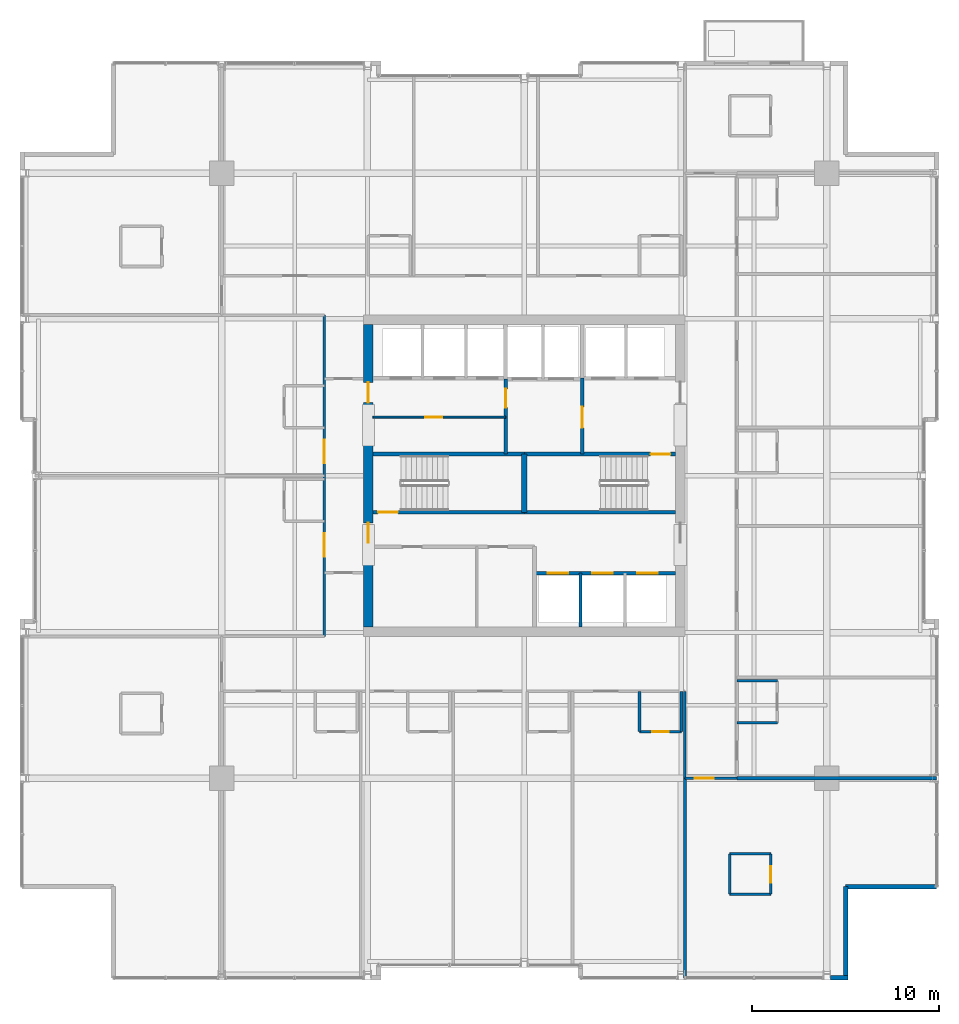
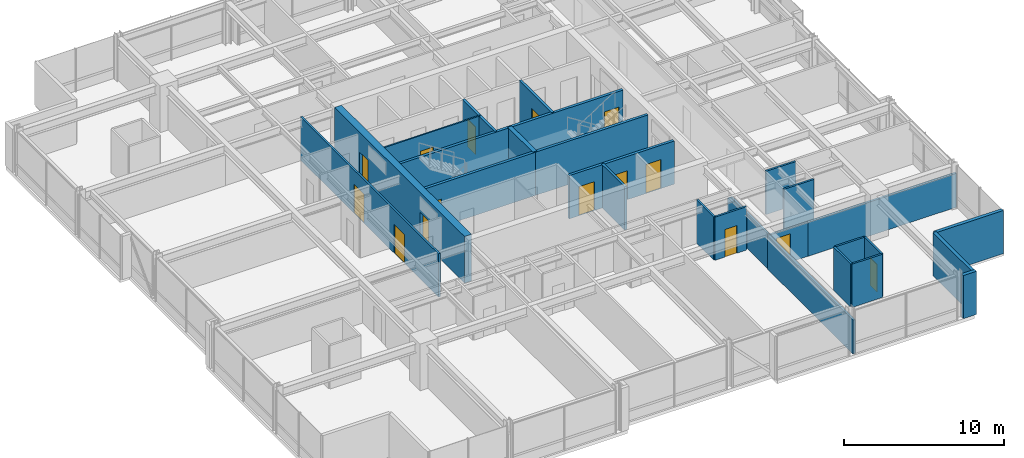
# One storey, part 28 of 34: 28 walls, 15 doors, 15 openings.
"""IFC4 building model written with IfcOpenShell, lengths in metres."""

from ifc_helpers import new_model, si_unit, direction, frame, frame_2d, origin, place, context, subcontext, project, spatial, rectangle, extrude, material, layer, layer_set, type_object, element, fill, save


model = new_model("IFC4")

# Units and contexts
model_context = context("Model", 3, precision=1e-05, world=origin(), true_north=direction((0.0, 1.0)))
body_context = subcontext(model_context, "Body", "Model", "MODEL_VIEW")
ifc_project = project(units=[si_unit("LENGTHUNIT", "METRE"), si_unit("AREAUNIT", "SQUARE_METRE"), si_unit("VOLUMEUNIT", "CUBIC_METRE"), si_unit("PLANEANGLEUNIT", "RADIAN"), si_unit("MASSUNIT", "GRAM", prefix="KILO")], contexts=[model_context])

# Site, building, storey
site_placement = place(None, origin())
site = spatial("IfcSite", under=ifc_project, at=site_placement, CompositionType="ELEMENT")
building_placement = place(site_placement, origin())
building = spatial("IfcBuilding", under=site, at=building_placement, Name="Drelvath Grand Hotel", CompositionType="ELEMENT")
storey_placement = place(building_placement, frame((0.0, 0.0, 175.25)))
storey = spatial("IfcBuildingStorey", under=building, at=storey_placement, Name="L45", CompositionType="ELEMENT", Elevation=175.25)

# Wall, opening, door
ifc_material_1 = material(Name="Gypsum Partition Board")
ifc_layer_1 = layer(ifc_material_1, 0.10009765625)
ifc_layer_set_1 = layer_set([ifc_layer_1], Name="Gypsum Partition Board")
wall_type_1 = type_object("IfcWallType", Name="Core Closet Partition 100", PredefinedType="PARTITIONING", material=ifc_layer_set_1)
wall_1_placement = place(storey_placement, frame((-8.10009765625, 30.139892578125, 0.0), z_axis=(0.0, 0.0, 1.0), x_axis=(1.0, 0.0, 0.0)))
wall_1 = element("IfcWall", 1, at=wall_1_placement, inside=storey, type_object=wall_type_1, Name="L45 High-Rise Lobby Closet Wall", PredefinedType="PARTITIONING", context=body_context, shape_type="SweptSolid", body=[
    extrude(rectangle(XDim=7.10009765625, YDim=0.10009765625, at=frame_2d((3.550048828125, 0.0))), origin(), (0.0, 0.0, 1.0), 3.2900390625),
])
opening_1_placement = place(wall_1_placement, frame((2.800048828125, 0.0, 0.0)))
opening_1 = element("IfcOpeningElement", 2, at=opening_1_placement, cuts=wall_1, Name="Opening D-T3G3-014", PredefinedType="OPENING", context=body_context, shape_type="SweptSolid", body=[
    extrude(rectangle(XDim=0.919921875, YDim=2.10009765625, at=frame_2d((0.4599609375, 1.050048828125))), frame((0.0, 0.06005859375, 0.0), z_axis=(0.0, -1.0, 0.0), x_axis=(1.0, 0.0, 0.0)), (0.0, 0.0, 1.0), 0.1201171875),
])
ifc_material_2 = material(Name="Painted Steel S275", Category="steel")
door_type_1 = type_object("IfcDoorType", Name="Staff Utility Door 920x2100", OperationType="NOTDEFINED", PredefinedType="DOOR", material=ifc_material_2)
door_1_placement = place(opening_1_placement, origin())
door_1 = element("IfcDoor", 3, at=door_1_placement, inside=storey, type_object=door_type_1, Name="L45 Core Telecom Door", OperationType="SINGLE_SWING_LEFT", OverallHeight=2.10009765625, OverallWidth=0.919921875, PredefinedType="DOOR", context=body_context, shape_type="SweptSolid", body=[
    extrude(rectangle(XDim=0.919921875, YDim=2.10009765625, at=frame_2d((0.4599609375, 1.050048828125))), frame((0.0, 0.02490234375, 0.0), z_axis=(0.0, -1.0, 0.0), x_axis=(1.0, 0.0, 0.0)), (0.0, 0.0, 1.0), 0.050048828125),
])
fill(opening_1, door_1)

# Wall, openings, doors
ifc_material_3 = material(Name="Concrete C40/50", Category="concrete")
ifc_layer_2 = layer(ifc_material_3, 0.199951171875)
ifc_layer_set_2 = layer_set([ifc_layer_2], Name="Concrete C40/50")
wall_type_2 = type_object("IfcWallType", Name="Core Hoistway Fire Wall 200", PredefinedType="SOLIDWALL", material=ifc_layer_set_2)
wall_2_placement = place(storey_placement, frame((8.10009765625, 21.780029296875, 0.0), z_axis=(0.0, 0.0, 1.0), x_axis=(-1.0, 0.0, 0.0)))
wall_2 = element("IfcWall", 4, at=wall_2_placement, inside=storey, type_object=wall_type_2, Name="L45 Bank 2 Hoistway Wall", PredefinedType="SOLIDWALL", context=body_context, shape_type="SweptSolid", body=[
    extrude(rectangle(XDim=7.550048828125, YDim=0.199951171875, at=frame_2d((3.77490234375, 0.0))), origin(), (0.0, 0.0, 1.0), 3.2900390625),
])
opening_2_placement = place(wall_2_placement, frame((5.75, 0.0, 0.0)))
opening_2 = element("IfcOpeningElement", 5, at=opening_2_placement, cuts=wall_2, Name="Opening LD-PE-4", PredefinedType="OPENING", context=body_context, shape_type="SweptSolid", body=[
    extrude(rectangle(XDim=1.10009765625, YDim=2.199951171875, at=frame_2d((0.550048828125, 1.10009765625))), frame((0.0, 0.10986328125, 0.0), z_axis=(0.0, -1.0, 0.0), x_axis=(1.0, 0.0, 0.0)), (0.0, 0.0, 1.0), 0.219970703125),
])
opening_3_placement = place(wall_2_placement, frame((3.35009765625, 0.0, 0.0)))
opening_3 = element("IfcOpeningElement", 6, at=opening_3_placement, cuts=wall_2, Name="Opening LD-PE-5", PredefinedType="OPENING", context=body_context, shape_type="SweptSolid", body=[
    extrude(rectangle(XDim=1.10009765625, YDim=2.199951171875, at=frame_2d((0.550048828125, 1.10009765625))), frame((0.0, 0.10986328125, 0.0), z_axis=(0.0, -1.0, 0.0), x_axis=(1.0, 0.0, 0.0)), (0.0, 0.0, 1.0), 0.219970703125),
])
opening_4_placement = place(wall_2_placement, frame((0.949951171875, 0.0, 0.0)))
opening_4 = element("IfcOpeningElement", 7, at=opening_4_placement, cuts=wall_2, Name="Opening LD-PE-6", PredefinedType="OPENING", context=body_context, shape_type="SweptSolid", body=[
    extrude(rectangle(XDim=1.10009765625, YDim=2.199951171875, at=frame_2d((0.550048828125, 1.10009765625))), frame((0.0, 0.10986328125, 0.0), z_axis=(0.0, -1.0, 0.0), x_axis=(1.0, 0.0, 0.0)), (0.0, 0.0, 1.0), 0.219970703125),
])
ifc_material_4 = material(Name="Stainless Steel S355", Category="steel")
door_type_2 = type_object("IfcDoorType", Name="Passenger Lift Sliding Landing Door 1100x2200", OperationType="NOTDEFINED", PredefinedType="DOOR", material=ifc_material_4)
door_2_placement = place(opening_2_placement, origin())
door_2 = element("IfcDoor", 8, at=door_2_placement, inside=storey, type_object=door_type_2, Name="L45 Lift PE-4 Landing Door", OperationType="SLIDING_TO_LEFT", OverallHeight=2.199951171875, OverallWidth=1.10009765625, PredefinedType="DOOR", context=body_context, shape_type="SweptSolid", body=[
    extrude(rectangle(XDim=1.10009765625, YDim=2.199951171875, at=frame_2d((0.550048828125, 1.10009765625))), frame((0.0, 0.02490234375, 0.0), z_axis=(0.0, -1.0, 0.0), x_axis=(1.0, 0.0, 0.0)), (0.0, 0.0, 1.0), 0.050048828125),
])
fill(opening_2, door_2)
door_3_placement = place(opening_3_placement, origin())
door_3 = element("IfcDoor", 9, at=door_3_placement, inside=storey, type_object=door_type_2, Name="L45 Lift PE-5 Landing Door", OperationType="SLIDING_TO_LEFT", OverallHeight=2.199951171875, OverallWidth=1.10009765625, PredefinedType="DOOR", context=body_context, shape_type="SweptSolid", body=[
    extrude(rectangle(XDim=1.10009765625, YDim=2.199951171875, at=frame_2d((0.550048828125, 1.10009765625))), frame((0.0, 0.02490234375, 0.0), z_axis=(0.0, -1.0, 0.0), x_axis=(1.0, 0.0, 0.0)), (0.0, 0.0, 1.0), 0.050048828125),
])
fill(opening_3, door_3)
door_4_placement = place(opening_4_placement, origin())
door_4 = element("IfcDoor", 10, at=door_4_placement, inside=storey, type_object=door_type_2, Name="L45 Lift PE-6 Landing Door", OperationType="SLIDING_TO_LEFT", OverallHeight=2.199951171875, OverallWidth=1.10009765625, PredefinedType="DOOR", context=body_context, shape_type="SweptSolid", body=[
    extrude(rectangle(XDim=1.10009765625, YDim=2.199951171875, at=frame_2d((0.550048828125, 1.10009765625))), frame((0.0, 0.02490234375, 0.0), z_axis=(0.0, -1.0, 0.0), x_axis=(1.0, 0.0, 0.0)), (0.0, 0.0, 1.0), 0.050048828125),
])
fill(opening_4, door_4)

# Wall, opening, door
ifc_layer_3 = layer(ifc_material_3, 0.199951171875)
ifc_layer_set_3 = layer_set([ifc_layer_3], Name="Concrete C40/50")
wall_type_3 = type_object("IfcWallType", Name="Core Shaft Fire Wall 200", PredefinedType="SOLIDWALL", material=ifc_layer_set_3)
wall_3_placement = place(storey_placement, frame((-8.10009765625, 25.0400390625, 0.0), z_axis=(0.0, 0.0, 1.0), x_axis=(1.0, 0.0, 0.0)))
wall_3 = element("IfcWall", 11, at=wall_3_placement, inside=storey, type_object=wall_type_3, Name="L45 Stair ST-1 South Wall", PredefinedType="SOLIDWALL", context=body_context, shape_type="SweptSolid", body=[
    extrude(rectangle(XDim=8.10009765625, YDim=0.199951171875, at=frame_2d((4.050048828125, 0.0))), origin(), (0.0, 0.0, 1.0), 3.2900390625),
])
opening_5_placement = place(wall_3_placement, frame((0.280029296875, 0.0, 0.0)))
opening_5 = element("IfcOpeningElement", 12, at=opening_5_placement, cuts=wall_3, Name="Opening D-T3G3-001", PredefinedType="OPENING", context=body_context, shape_type="SweptSolid", body=[
    extrude(rectangle(XDim=1.050048828125, YDim=2.10009765625, at=frame_2d((0.52490234375, 1.050048828125))), frame((0.0, 0.10986328125, 0.0), z_axis=(0.0, -1.0, 0.0), x_axis=(1.0, 0.0, 0.0)), (0.0, 0.0, 1.0), 0.219970703125),
])
door_type_3 = type_object("IfcDoorType", Name="Tower Stairwell Fire Door 1050x2100", OperationType="NOTDEFINED", PredefinedType="DOOR", material=ifc_material_2)
door_5_placement = place(opening_5_placement, origin())
door_5 = element("IfcDoor", 13, at=door_5_placement, inside=storey, type_object=door_type_3, Name="L45 Exit Stair ST-1 Door", OperationType="SINGLE_SWING_LEFT", OverallHeight=2.10009765625, OverallWidth=1.050048828125, PredefinedType="DOOR", context=body_context, shape_type="SweptSolid", body=[
    extrude(rectangle(XDim=1.050048828125, YDim=2.10009765625, at=frame_2d((0.52490234375, 1.050048828125))), frame((0.0, 0.02490234375, 0.0), z_axis=(0.0, -1.0, 0.0), x_axis=(1.0, 0.0, 0.0)), (0.0, 0.0, 1.0), 0.050048828125),
])
fill(opening_5, door_5)

# Walls
for number, where, z_axis, x_axis, name in (
    (14, (-8.10009765625, 28.159912109375, 0.0), (0.0, 0.0, 1.0), (1.0, 0.0, 0.0), "L45 Stair ST-1 North Wall"),
    (15, (0.0, 25.0400390625, 0.0), (0.0, 0.0, 1.0), (1.0, 0.0, 0.0), "L45 Stair ST-2 South Wall"),
):
    element("IfcWall", number, at=place(storey_placement, frame(where, z_axis=z_axis, x_axis=x_axis)), inside=storey, type_object=wall_type_3, Name=name, PredefinedType="SOLIDWALL", context=body_context, shape_type="SweptSolid", body=[
        extrude(rectangle(XDim=8.10009765625, YDim=0.199951171875, at=frame_2d((4.050048828125, 0.0))), origin(), (0.0, 0.0, 1.0), 3.2900390625),
    ])

# Wall, opening, door
wall_4_placement = place(storey_placement, frame((8.10009765625, 28.159912109375, 0.0), z_axis=(0.0, 0.0, 1.0), x_axis=(-1.0, 0.0, 0.0)))
wall_4 = element("IfcWall", 16, at=wall_4_placement, inside=storey, type_object=wall_type_3, Name="L45 Stair ST-2 North Wall", PredefinedType="SOLIDWALL", context=body_context, shape_type="SweptSolid", body=[
    extrude(rectangle(XDim=8.10009765625, YDim=0.199951171875, at=frame_2d((4.050048828125, 0.0))), origin(), (0.0, 0.0, 1.0), 3.2900390625),
])
opening_6_placement = place(wall_4_placement, frame((0.280029296875, 0.0, 0.0)))
opening_6 = element("IfcOpeningElement", 17, at=opening_6_placement, cuts=wall_4, Name="Opening D-T3G3-002", PredefinedType="OPENING", context=body_context, shape_type="SweptSolid", body=[
    extrude(rectangle(XDim=1.050048828125, YDim=2.10009765625, at=frame_2d((0.52490234375, 1.050048828125))), frame((0.0, 0.10986328125, 0.0), z_axis=(0.0, -1.0, 0.0), x_axis=(1.0, 0.0, 0.0)), (0.0, 0.0, 1.0), 0.219970703125),
])
door_6_placement = place(opening_6_placement, origin())
door_6 = element("IfcDoor", 18, at=door_6_placement, inside=storey, type_object=door_type_3, Name="L45 Exit Stair ST-2 Door", OperationType="SINGLE_SWING_LEFT", OverallHeight=2.10009765625, OverallWidth=1.050048828125, PredefinedType="DOOR", context=body_context, shape_type="SweptSolid", body=[
    extrude(rectangle(XDim=1.050048828125, YDim=2.10009765625, at=frame_2d((0.52490234375, 1.050048828125))), frame((0.0, 0.02490234375, 0.0), z_axis=(0.0, -1.0, 0.0), x_axis=(1.0, 0.0, 0.0)), (0.0, 0.0, 1.0), 0.050048828125),
])
fill(opening_6, door_6)

# Walls
ifc_layer_4 = layer(ifc_material_3, 0.300048828125)
ifc_layer_set_4 = layer_set([ifc_layer_4], Name="Concrete C40/50")
wall_type_4 = type_object("IfcWallType", Name="Core Shaft Fire Wall 300", PredefinedType="SOLIDWALL", material=ifc_layer_set_4)
wall_5_placement = place(storey_placement, frame((0.0, 25.0400390625, 0.0), z_axis=(0.0, 0.0, 1.0), x_axis=(0.0, 1.0, 0.0)))
element("IfcWall", 19, at=wall_5_placement, inside=storey, type_object=wall_type_4, Name="L45 Core Stair Divider Wall", PredefinedType="SOLIDWALL", context=body_context, shape_type="SweptSolid", body=[
    extrude(rectangle(XDim=3.119873046875, YDim=0.300048828125, at=frame_2d((1.56005859375, 0.0))), origin(), (0.0, 0.0, 1.0), 3.2900390625),
])
ifc_material_5 = material(Name="Gypsum Fireboard Partition")
ifc_layer_5 = layer(ifc_material_5, 0.1650390625)
ifc_layer_set_5 = layer_set([ifc_layer_5], Name="Gypsum Fireboard Partition")
wall_type_5 = type_object("IfcWallType", Name="Core Shaft Partition 165", PredefinedType="PARTITIONING", material=ifc_layer_set_5)
wall_6_placement = place(storey_placement, frame((3.0, 18.89990234375, 0.0), z_axis=(0.0, 0.0, 1.0), x_axis=(0.0, 1.0, 0.0)))
element("IfcWall", 20, at=wall_6_placement, inside=storey, type_object=wall_type_5, Name="L45 Lift PE-4/5 Divider", PredefinedType="PARTITIONING", context=body_context, shape_type="SweptSolid", body=[
    extrude(rectangle(XDim=2.880126953125, YDim=0.1650390625, at=frame_2d((1.43994140625, 0.0))), origin(), (0.0, 0.0, 1.0), 3.2900390625),
])
ifc_layer_6 = layer(ifc_material_5, 0.135009765625)
ifc_layer_set_6 = layer_set([ifc_layer_6], Name="Gypsum Fireboard Partition")
wall_type_6 = type_object("IfcWallType", Name="Corridor Fire Barrier Wall 135", PredefinedType="PARTITIONING", material=ifc_layer_set_6)
wall_7_placement = place(storey_placement, frame((8.60009765625, 10.800048828125, 0.0), z_axis=(0.0, 0.0, 1.0), x_axis=(0.0, 1.0, 0.0)))
element("IfcWall", 21, at=wall_7_placement, inside=storey, type_object=wall_type_6, Name="L45 East Spine South Inner Wall", PredefinedType="PARTITIONING", context=body_context, shape_type="SweptSolid", body=[
    extrude(rectangle(XDim=4.64990234375, YDim=0.135009765625, at=frame_2d((2.324951171875, 0.0))), origin(), (0.0, 0.0, 1.0), 2.66748046875),
])

# Wall, openings, doors
wall_8_placement = place(storey_placement, frame((-10.699951171875, 18.39990234375, 0.0), z_axis=(0.0, 0.0, 1.0), x_axis=(0.0, 1.0, 0.0)))
wall_8 = element("IfcWall", 22, at=wall_8_placement, inside=storey, type_object=wall_type_6, Name="L45 West Spine Wall", PredefinedType="PARTITIONING", context=body_context, shape_type="SweptSolid", body=[
    extrude(rectangle(XDim=17.2001953125, YDim=0.135009765625, at=frame_2d((8.60009765625, 0.0))), origin(), (0.0, 0.0, 1.0), 3.2900390625),
])
opening_7_placement = place(wall_8_placement, frame((4.2548828125, 0.0, 0.0)))
opening_7 = element("IfcOpeningElement", 23, at=opening_7_placement, cuts=wall_8, Name="Opening D-T3G3-054", PredefinedType="OPENING", context=body_context, shape_type="SweptSolid", body=[
    extrude(rectangle(XDim=1.260009765625, YDim=2.199951171875, at=frame_2d((0.6298828125, 1.10009765625))), frame((0.0, 0.077392578125, 0.0), z_axis=(0.0, -1.0, 0.0), x_axis=(1.0, 0.0, 0.0)), (0.0, 0.0, 1.0), 0.155029296875),
])
opening_8_placement = place(wall_8_placement, frame((9.2548828125, 0.0, 0.0)))
opening_8 = element("IfcOpeningElement", 24, at=opening_8_placement, cuts=wall_8, Name="Opening D-T3G3-056", PredefinedType="OPENING", context=body_context, shape_type="SweptSolid", body=[
    extrude(rectangle(XDim=1.260009765625, YDim=2.199951171875, at=frame_2d((0.6298828125, 1.10009765625))), frame((0.0, 0.077392578125, 0.0), z_axis=(0.0, -1.0, 0.0), x_axis=(1.0, 0.0, 0.0)), (0.0, 0.0, 1.0), 0.155029296875),
])
ifc_material_6 = material(Name="Hardwood Walnut Timber", Category="wood")
door_type_4 = type_object("IfcDoorType", Name="Suite Entrance Fire Door 1260x2200", OperationType="NOTDEFINED", PredefinedType="DOOR", material=ifc_material_6)
door_7_placement = place(opening_7_placement, origin())
door_7 = element("IfcDoor", 25, at=door_7_placement, inside=storey, type_object=door_type_4, Name="L45 Executive Suite Entry Door", OperationType="SINGLE_SWING_RIGHT", OverallHeight=2.199951171875, OverallWidth=1.260009765625, PredefinedType="DOOR", context=body_context, shape_type="SweptSolid", body=[
    extrude(rectangle(XDim=1.260009765625, YDim=2.199951171875, at=frame_2d((0.6298828125, 1.10009765625))), frame((0.0, 0.02490234375, 0.0), z_axis=(0.0, -1.0, 0.0), x_axis=(1.0, 0.0, 0.0)), (0.0, 0.0, 1.0), 0.050048828125),
])
fill(opening_7, door_7)
door_8_placement = place(opening_8_placement, origin())
door_8 = element("IfcDoor", 26, at=door_8_placement, inside=storey, type_object=door_type_4, Name="L45 Executive Suite Entry Door", OperationType="SINGLE_SWING_RIGHT", OverallHeight=2.199951171875, OverallWidth=1.260009765625, PredefinedType="DOOR", context=body_context, shape_type="SweptSolid", body=[
    extrude(rectangle(XDim=1.260009765625, YDim=2.199951171875, at=frame_2d((0.6298828125, 1.10009765625))), frame((0.0, 0.02490234375, 0.0), z_axis=(0.0, -1.0, 0.0), x_axis=(1.0, 0.0, 0.0)), (0.0, 0.0, 1.0), 0.050048828125),
])
fill(opening_8, door_8)

# Wall, opening, door
wall_9_placement = place(storey_placement, frame((8.60009765625, 10.800048828125, 0.0), z_axis=(0.0, 0.0, 1.0), x_axis=(1.0, 0.0, 0.0)))
wall_9 = element("IfcWall", 27, at=wall_9_placement, inside=storey, type_object=wall_type_6, Name="L45 East Spine South End", PredefinedType="PARTITIONING", context=body_context, shape_type="SweptSolid", body=[
    extrude(rectangle(XDim=2.7998046875, YDim=0.135009765625, at=frame_2d((1.39990234375, 0.0))), origin(), (0.0, 0.0, 1.0), 2.57958984375),
])
opening_9_placement = place(wall_9_placement, frame((0.52001953125, 0.0, 0.0)))
opening_9 = element("IfcOpeningElement", 28, at=opening_9_placement, cuts=wall_9, Name="Opening D-T3G3-029", PredefinedType="OPENING", context=body_context, shape_type="SweptSolid", body=[
    extrude(rectangle(XDim=1.02001953125, YDim=2.14990234375, at=frame_2d((0.510009765625, 1.074951171875))), frame((0.0, 0.077392578125, 0.0), z_axis=(0.0, -1.0, 0.0), x_axis=(1.0, 0.0, 0.0)), (0.0, 0.0, 1.0), 0.155029296875),
])
door_type_5 = type_object("IfcDoorType", Name="Amenity Meeting Fire Door 1020x2150", OperationType="NOTDEFINED", PredefinedType="DOOR", material=ifc_material_6)
door_9_placement = place(opening_9_placement, origin())
door_9 = element("IfcDoor", 29, at=door_9_placement, inside=storey, type_object=door_type_5, Name="L45 Executive Suite Entry Door", OperationType="SINGLE_SWING_LEFT", OverallHeight=2.14990234375, OverallWidth=1.02001953125, PredefinedType="DOOR", context=body_context, shape_type="SweptSolid", body=[
    extrude(rectangle(XDim=1.02001953125, YDim=2.14990234375, at=frame_2d((0.510009765625, 1.074951171875))), frame((0.0, 0.02490234375, 0.0), z_axis=(0.0, -1.0, 0.0), x_axis=(1.0, 0.0, 0.0)), (0.0, 0.0, 1.0), 0.050048828125),
])
fill(opening_9, door_9)

# Walls
ifc_material_7 = material(Name="Moisture-Resistant Gypsum Board")
ifc_layer_7 = layer(ifc_material_7, 0.139892578125)
ifc_layer_set_7 = layer_set([ifc_layer_7], Name="Moisture-Resistant Gypsum Board")
wall_type_7 = type_object("IfcWallType", Name="En-Suite Plumbing Wall 140", PredefinedType="PLUMBINGWALL", material=ifc_layer_set_7)
for number, where, z_axis, x_axis, name in (
    (30, (11.0, 4.60009765625, 0.0), (0.0, 0.0, 1.0), (1.0, 0.0, 0.0), "L45 Corner En-Suite South"),
    (31, (11.0, 6.75, 0.0), (0.0, 0.0, 1.0), (1.0, 0.0, 0.0), "L45 Corner En-Suite North"),
):
    element("IfcWall", number, at=place(storey_placement, frame(where, z_axis=z_axis, x_axis=x_axis)), inside=storey, type_object=wall_type_7, Name=name, PredefinedType="PLUMBINGWALL", context=body_context, shape_type="SweptSolid", body=[
        extrude(rectangle(XDim=2.199951171875, YDim=0.139892578125, at=frame_2d((1.10009765625, 0.0))), origin(), (0.0, 0.0, 1.0), 3.2900390625),
    ])
wall_10_placement = place(storey_placement, frame((11.0, 4.60009765625, 0.0), z_axis=(0.0, 0.0, 1.0), x_axis=(0.0, 1.0, 0.0)))
element("IfcWall", 32, at=wall_10_placement, inside=storey, type_object=wall_type_7, Name="L45 Corner En-Suite West", PredefinedType="PLUMBINGWALL", context=body_context, shape_type="SweptSolid", body=[
    extrude(rectangle(XDim=2.14990234375, YDim=0.139892578125, at=frame_2d((1.074951171875, 0.0))), origin(), (0.0, 0.0, 1.0), 3.2900390625),
])

# Wall, opening, door
wall_11_placement = place(storey_placement, frame((13.199951171875, 4.60009765625, 0.0), z_axis=(0.0, 0.0, 1.0), x_axis=(0.0, 1.0, 0.0)))
wall_11 = element("IfcWall", 33, at=wall_11_placement, inside=storey, type_object=wall_type_7, Name="L45 Corner En-Suite East", PredefinedType="PLUMBINGWALL", context=body_context, shape_type="SweptSolid", body=[
    extrude(rectangle(XDim=2.14990234375, YDim=0.139892578125, at=frame_2d((1.074951171875, 0.0))), origin(), (0.0, 0.0, 1.0), 3.2900390625),
])
opening_10_placement = place(wall_11_placement, frame((0.6201171875, 0.0, 0.0)))
opening_10 = element("IfcOpeningElement", 34, at=opening_10_placement, cuts=wall_11, Name="Opening D-T3G3-028", PredefinedType="OPENING", context=body_context, shape_type="SweptSolid", body=[
    extrude(rectangle(XDim=0.8798828125, YDim=2.10009765625, at=frame_2d((0.43994140625, 1.050048828125))), frame((0.0, 0.079833984375, 0.0), z_axis=(0.0, -1.0, 0.0), x_axis=(1.0, 0.0, 0.0)), (0.0, 0.0, 1.0), 0.159912109375),
])
door_type_6 = type_object("IfcDoorType", Name="En-Suite Bathroom Door 880x2100", OperationType="NOTDEFINED", PredefinedType="DOOR", material=ifc_material_6)
door_10_placement = place(opening_10_placement, origin())
door_10 = element("IfcDoor", 35, at=door_10_placement, inside=storey, type_object=door_type_6, Name="L45 Corner En-Suite Door", OperationType="SINGLE_SWING_RIGHT", OverallHeight=2.10009765625, OverallWidth=0.8798828125, PredefinedType="DOOR", context=body_context, shape_type="SweptSolid", body=[
    extrude(rectangle(XDim=0.8798828125, YDim=2.10009765625, at=frame_2d((0.43994140625, 1.050048828125))), frame((0.0, 0.02490234375, 0.0), z_axis=(0.0, -1.0, 0.0), x_axis=(1.0, 0.0, 0.0)), (0.0, 0.0, 1.0), 0.050048828125),
])
fill(opening_10, door_10)

# Walls
wall_12_placement = place(storey_placement, frame((6.169921875, 15.449951171875, 0.0), z_axis=(0.0, 0.0, 1.0), x_axis=(0.0, -1.0, 0.0)))
element("IfcWall", 36, at=wall_12_placement, inside=storey, type_object=wall_type_7, Name="L45 En-Suite Left Wall", PredefinedType="PLUMBINGWALL", context=body_context, shape_type="SweptSolid", body=[
    extrude(rectangle(XDim=2.14990234375, YDim=0.139892578125, at=frame_2d((1.074951171875, 0.0))), origin(), (0.0, 0.0, 1.0), 3.2900390625),
])
wall_13_placement = place(storey_placement, frame((8.419921875, 15.449951171875, 0.0), z_axis=(0.0, 0.0, 1.0), x_axis=(0.0, -1.0, 0.0)))
element("IfcWall", 37, at=wall_13_placement, inside=storey, type_object=wall_type_7, Name="L45 En-Suite Right Wall", PredefinedType="PLUMBINGWALL", context=body_context, shape_type="SweptSolid", body=[
    extrude(rectangle(XDim=2.14990234375, YDim=0.139892578125, at=frame_2d((1.074951171875, 0.0))), origin(), (0.0, 0.0, 1.0), 2.66748046875),
])

# Wall, opening, door
wall_14_placement = place(storey_placement, frame((6.169921875, 13.300048828125, 0.0), z_axis=(0.0, 0.0, 1.0), x_axis=(1.0, 0.0, 0.0)))
wall_14 = element("IfcWall", 38, at=wall_14_placement, inside=storey, type_object=wall_type_7, Name="L45 En-Suite Front Wall", PredefinedType="PLUMBINGWALL", context=body_context, shape_type="SweptSolid", body=[
    extrude(rectangle(XDim=2.25, YDim=0.139892578125, at=frame_2d((1.125, 0.0))), origin(), (0.0, 0.0, 1.0), 3.2900390625),
])
opening_11_placement = place(wall_14_placement, frame((0.68505859375, 0.0, 0.0)))
opening_11 = element("IfcOpeningElement", 39, at=opening_11_placement, cuts=wall_14, Name="Opening D-T3G3-038", PredefinedType="OPENING", context=body_context, shape_type="SweptSolid", body=[
    extrude(rectangle(XDim=0.8798828125, YDim=2.10009765625, at=frame_2d((0.43994140625, 1.050048828125))), frame((0.0, 0.079833984375, 0.0), z_axis=(0.0, -1.0, 0.0), x_axis=(1.0, 0.0, 0.0)), (0.0, 0.0, 1.0), 0.159912109375),
])
door_11_placement = place(opening_11_placement, origin())
door_11 = element("IfcDoor", 40, at=door_11_placement, inside=storey, type_object=door_type_6, Name="L45 En-Suite Bathroom Door", OperationType="SINGLE_SWING_RIGHT", OverallHeight=2.10009765625, OverallWidth=0.8798828125, PredefinedType="DOOR", context=body_context, shape_type="SweptSolid", body=[
    extrude(rectangle(XDim=0.8798828125, YDim=2.10009765625, at=frame_2d((0.43994140625, 1.050048828125))), frame((0.0, 0.02490234375, 0.0), z_axis=(0.0, -1.0, 0.0), x_axis=(1.0, 0.0, 0.0)), (0.0, 0.0, 1.0), 0.050048828125),
])
fill(opening_11, door_11)

# Walls
for number, where, z_axis, x_axis, name in (
    (41, (11.39990234375, 13.77001953125, 0.0), (0.0, 0.0, 1.0), (1.0, 0.0, 0.0), "L45 En-Suite Left Wall"),
    (42, (11.39990234375, 16.02001953125, 0.0), (0.0, 0.0, 1.0), (1.0, 0.0, 0.0), "L45 En-Suite Right Wall"),
):
    element("IfcWall", number, at=place(storey_placement, frame(where, z_axis=z_axis, x_axis=x_axis)), inside=storey, type_object=wall_type_7, Name=name, PredefinedType="PLUMBINGWALL", context=body_context, shape_type="SweptSolid", body=[
        extrude(rectangle(XDim=2.150146484375, YDim=0.139892578125, at=frame_2d((1.0751953125, 0.0))), origin(), (0.0, 0.0, 1.0), 3.2900390625),
    ])

# Wall, opening, door
ifc_layer_8 = layer(ifc_material_5, 0.179931640625)
ifc_layer_set_8 = layer_set([ifc_layer_8], Name="Gypsum Fireboard Partition")
wall_type_8 = type_object("IfcWallType", Name="FSAE Smoke Lobby Fire Wall 180", PredefinedType="SOLIDWALL", material=ifc_layer_set_8)
wall_15_placement = place(storey_placement, frame((3.10009765625, 28.159912109375, 0.0), z_axis=(0.0, 0.0, 1.0), x_axis=(0.0, 1.0, 0.0)))
wall_15 = element("IfcWall", 43, at=wall_15_placement, inside=storey, type_object=wall_type_8, Name="L45 FSAE Smoke Lobby West Wall", PredefinedType="SOLIDWALL", context=body_context, shape_type="SweptSolid", body=[
    extrude(rectangle(XDim=4.06005859375, YDim=0.179931640625, at=frame_2d((2.030029296875, 0.0))), origin(), (0.0, 0.0, 1.0), 3.2900390625),
])
opening_12_placement = place(wall_15_placement, frame((1.39990234375, 0.0, 0.0)))
opening_12 = element("IfcOpeningElement", 44, at=opening_12_placement, cuts=wall_15, Name="Opening D-T3G3-005", PredefinedType="OPENING", context=body_context, shape_type="SweptSolid", body=[
    extrude(rectangle(XDim=1.1201171875, YDim=2.10009765625, at=frame_2d((0.56005859375, 1.050048828125))), frame((0.0, 0.099853515625, 0.0), z_axis=(0.0, -1.0, 0.0), x_axis=(1.0, 0.0, 0.0)), (0.0, 0.0, 1.0), 0.199951171875),
])
door_type_7 = type_object("IfcDoorType", Name="FSAE Smoke Lobby Fire Door 1120x2100", OperationType="NOTDEFINED", PredefinedType="DOOR", material=ifc_material_2)
door_12_placement = place(opening_12_placement, origin())
door_12 = element("IfcDoor", 45, at=door_12_placement, inside=storey, type_object=door_type_7, Name="L45 FSAE Lobby Service Vestibule Door", OperationType="SINGLE_SWING_RIGHT", OverallHeight=2.10009765625, OverallWidth=1.1201171875, PredefinedType="DOOR", context=body_context, shape_type="SweptSolid", body=[
    extrude(rectangle(XDim=1.1201171875, YDim=2.10009765625, at=frame_2d((0.56005859375, 1.050048828125))), frame((0.0, 0.02490234375, 0.0), z_axis=(0.0, -1.0, 0.0), x_axis=(1.0, 0.0, 0.0)), (0.0, 0.0, 1.0), 0.050048828125),
])
fill(opening_12, door_12)

wall_16_placement = place(storey_placement, frame((-1.0, 28.159912109375, 0.0), z_axis=(0.0, 0.0, 1.0), x_axis=(0.0, 1.0, 0.0)))
wall_16 = element("IfcWall", 46, at=wall_16_placement, inside=storey, type_object=wall_type_8, Name="L45 Service Vestibule West Wall", PredefinedType="SOLIDWALL", context=body_context, shape_type="SweptSolid", body=[
    extrude(rectangle(XDim=4.02001953125, YDim=0.179931640625, at=frame_2d((2.010009765625, 0.0))), origin(), (0.0, 0.0, 1.0), 3.2900390625),
])
opening_13_placement = place(wall_16_placement, frame((2.489990234375, 0.0, 0.0)))
opening_13 = element("IfcOpeningElement", 47, at=opening_13_placement, cuts=wall_16, Name="Opening D-T3G3-009", PredefinedType="OPENING", context=body_context, shape_type="SweptSolid", body=[
    extrude(rectangle(XDim=1.0, YDim=2.10009765625, at=frame_2d((0.5, 1.050048828125))), frame((0.0, 0.099853515625, 0.0), z_axis=(0.0, -1.0, 0.0), x_axis=(1.0, 0.0, 0.0)), (0.0, 0.0, 1.0), 0.199951171875),
])
door_type_8 = type_object("IfcDoorType", Name="Core Service Fire Door 1000x2100", OperationType="NOTDEFINED", PredefinedType="DOOR", material=ifc_material_2)
door_13_placement = place(opening_13_placement, origin())
door_13 = element("IfcDoor", 48, at=door_13_placement, inside=storey, type_object=door_type_8, Name="L45 Service Vestibule West Door", OperationType="SINGLE_SWING_LEFT", OverallHeight=2.10009765625, OverallWidth=1.0, PredefinedType="DOOR", context=body_context, shape_type="SweptSolid", body=[
    extrude(rectangle(XDim=1.0, YDim=2.10009765625, at=frame_2d((0.5, 1.050048828125))), frame((0.0, 0.02490234375, 0.0), z_axis=(0.0, -1.0, 0.0), x_axis=(1.0, 0.0, 0.0)), (0.0, 0.0, 1.0), 0.050048828125),
])
fill(opening_13, door_13)

# Walls
ifc_material_8 = material(Name="Gypsum Acoustic Partition")
ifc_layer_9 = layer(ifc_material_8, 0.1650390625)
ifc_layer_set_9 = layer_set([ifc_layer_9], Name="Gypsum Acoustic Partition")
wall_type_9 = type_object("IfcWallType", Name="Suite Demising Wall 165", PredefinedType="PARTITIONING", material=ifc_layer_set_9)
wall_17_placement = place(storey_placement, frame((8.60009765625, 0.1201171875, 0.0), z_axis=(0.0, 0.0, 1.0), x_axis=(0.0, 1.0, 0.0)))
element("IfcWall", 49, at=wall_17_placement, inside=storey, type_object=wall_type_9, Name="L45 SE Suite West Wall", PredefinedType="PARTITIONING", context=body_context, shape_type="SweptSolid", body=[
    extrude(rectangle(XDim=10.679931640625, YDim=0.1650390625, at=frame_2d((5.33984375, 0.0))), origin(), (0.0, 0.0, 1.0), 2.57958984375),
])
wall_18_placement = place(storey_placement, frame((11.39990234375, 10.800048828125, 0.0), z_axis=(0.0, 0.0, 1.0), x_axis=(1.0, 0.0, 0.0)))
element("IfcWall", 50, at=wall_18_placement, inside=storey, type_object=wall_type_9, Name="L45 SE Suite North Wall", PredefinedType="PARTITIONING", context=body_context, shape_type="SweptSolid", body=[
    extrude(rectangle(XDim=10.68017578125, YDim=0.1650390625, at=frame_2d((5.340087890625, 0.0))), origin(), (0.0, 0.0, 1.0), 2.57958984375),
])
ifc_material_9 = material(Name="Pale-Metal Insulated Aluminium Spandrel Assembly", Category="aluminium")
ifc_layer_10 = layer(ifc_material_9, 0.239990234375)
ifc_layer_set_10 = layer_set([ifc_layer_10], Name="Pale-Metal Insulated Aluminium Spandrel Assembly")
wall_type_10 = type_object("IfcWallType", Name="Tower Insulated Metal Spandrel Closure Wall 240", PredefinedType="STANDARD", material=ifc_layer_set_10)
wall_19_placement = place(storey_placement, frame((17.320068359375, 0.1201171875, 0.0), z_axis=(0.0, 0.0, 1.0), x_axis=(-1.0, 0.0, 0.0)))
element("IfcWall", 51, at=wall_19_placement, inside=storey, type_object=wall_type_10, Name="L45 Corner Pier Spandrel Wall SE3", PredefinedType="STANDARD", context=body_context, shape_type="SweptSolid", body=[
    extrude(rectangle(XDim=0.919921875, YDim=0.239990234375, at=frame_2d((0.4599609375, 0.0))), origin(), (0.0, 0.0, 1.0), 3.2900390625),
])
wall_20_placement = place(storey_placement, frame((22.080078125, 5.0, 0.0), z_axis=(0.0, 0.0, 1.0), x_axis=(-1.0, 0.0, 0.0)))
element("IfcWall", 52, at=wall_20_placement, inside=storey, type_object=wall_type_10, Name="L45 Notched Corner Return Spandrel Wall CSE1", PredefinedType="STANDARD", context=body_context, shape_type="SweptSolid", body=[
    extrude(rectangle(XDim=4.880126953125, YDim=0.239990234375, at=frame_2d((2.43994140625, 0.0))), origin(), (0.0, 0.0, 1.0), 3.2900390625),
])
wall_21_placement = place(storey_placement, frame((17.199951171875, 5.0, 0.0), z_axis=(0.0, 0.0, 1.0), x_axis=(0.0, -1.0, 0.0)))
element("IfcWall", 53, at=wall_21_placement, inside=storey, type_object=wall_type_10, Name="L45 Notched Corner Return Spandrel Wall CSE2", PredefinedType="STANDARD", context=body_context, shape_type="SweptSolid", body=[
    extrude(rectangle(XDim=4.760009765625, YDim=0.239990234375, at=frame_2d((2.3798828125, 0.0))), origin(), (0.0, 0.0, 1.0), 3.2900390625),
])

# Wall, openings, doors
ifc_material_10 = material(Name="Concrete f'c 55 MPa", Category="concrete")
ifc_layer_11 = layer(ifc_material_10, 0.5)
ifc_layer_set_11 = layer_set([ifc_layer_11], Name="Concrete f'c 55 MPa")
wall_type_11 = type_object("IfcWallType", Name="Upper Core RC Shear Wall 500", PredefinedType="SHEAR", material=ifc_layer_set_11)
wall_22_placement = place(storey_placement, frame((-8.35009765625, 18.89990234375, 0.0), z_axis=(0.0, 0.0, 1.0), x_axis=(0.0, 1.0, 0.0)))
wall_22 = element("IfcWall", 54, at=wall_22_placement, inside=storey, type_object=wall_type_11, Name="L45 Central Core Shear Wall W", PredefinedType="SHEAR", context=body_context, shape_type="SweptSolid", body=[
    extrude(rectangle(XDim=16.2001953125, YDim=0.5, at=frame_2d((8.10009765625, 0.0))), origin(), (0.0, 0.0, 1.0), 3.550048828125),
])
opening_14_placement = place(wall_22_placement, frame((12.02001953125, 0.0, 0.0)))
opening_14 = element("IfcOpeningElement", 55, at=opening_14_placement, cuts=wall_22, Name="Opening D-T3G3-013", PredefinedType="OPENING", context=body_context, shape_type="SweptSolid", body=[
    extrude(rectangle(XDim=1.080078125, YDim=2.0400390625, at=frame_2d((0.5400390625, 1.02001953125))), frame((0.0, 0.260009765625, 0.0), z_axis=(0.0, -1.0, 0.0), x_axis=(1.0, 0.0, 0.0)), (0.0, 0.0, 1.0), 0.52001953125),
])
opening_15_placement = place(wall_22_placement, frame((4.5, 0.0, 0.0)))
opening_15 = element("IfcOpeningElement", 56, at=opening_15_placement, cuts=wall_22, Name="Opening D-T3G3-018", PredefinedType="OPENING", context=body_context, shape_type="SweptSolid", body=[
    extrude(rectangle(XDim=1.080078125, YDim=2.0400390625, at=frame_2d((0.5400390625, 1.02001953125))), frame((0.0, 0.260009765625, 0.0), z_axis=(0.0, -1.0, 0.0), x_axis=(1.0, 0.0, 0.0)), (0.0, 0.0, 1.0), 0.52001953125),
])
door_type_9 = type_object("IfcDoorType", Name="Core Corridor Fire Door 1080x2100", OperationType="NOTDEFINED", PredefinedType="DOOR", material=ifc_material_2)
door_14_placement = place(opening_14_placement, origin())
door_14 = element("IfcDoor", 57, at=door_14_placement, inside=storey, type_object=door_type_9, Name="L45 High-Rise Lift Lobby West Door", OperationType="SINGLE_SWING_RIGHT", OverallHeight=2.0400390625, OverallWidth=1.080078125, PredefinedType="DOOR", context=body_context, shape_type="SweptSolid", body=[
    extrude(rectangle(XDim=1.080078125, YDim=2.0400390625, at=frame_2d((0.5400390625, 1.02001953125))), frame((0.0, 0.02490234375, 0.0), z_axis=(0.0, -1.0, 0.0), x_axis=(1.0, 0.0, 0.0)), (0.0, 0.0, 1.0), 0.050048828125),
])
fill(opening_14, door_14)
door_15_placement = place(opening_15_placement, origin())
door_15 = element("IfcDoor", 58, at=door_15_placement, inside=storey, type_object=door_type_9, Name="L45 Mid-Rise Lobby West Door", OperationType="SINGLE_SWING_RIGHT", OverallHeight=2.0400390625, OverallWidth=1.080078125, PredefinedType="DOOR", context=body_context, shape_type="SweptSolid", body=[
    extrude(rectangle(XDim=1.080078125, YDim=2.0400390625, at=frame_2d((0.5400390625, 1.02001953125))), frame((0.0, 0.02490234375, 0.0), z_axis=(0.0, -1.0, 0.0), x_axis=(1.0, 0.0, 0.0)), (0.0, 0.0, 1.0), 0.050048828125),
])
fill(opening_15, door_15)

save(model, "model.ifc")
